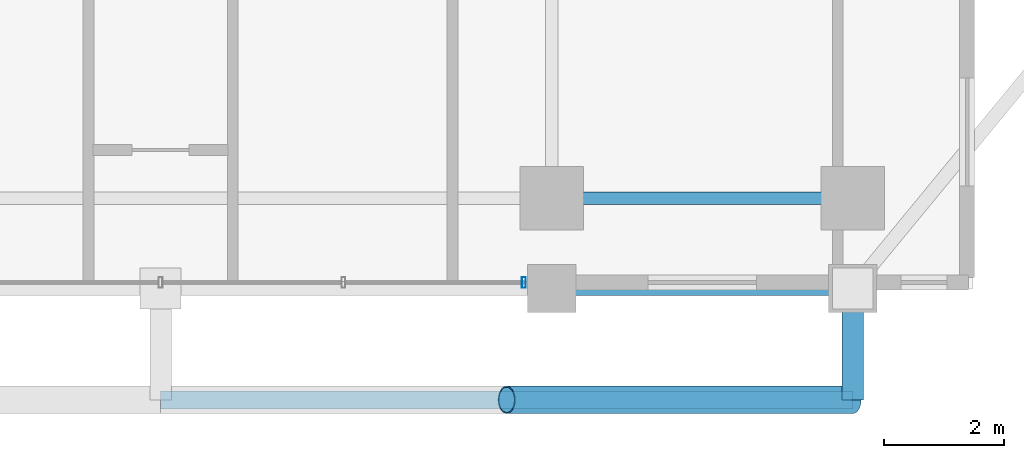
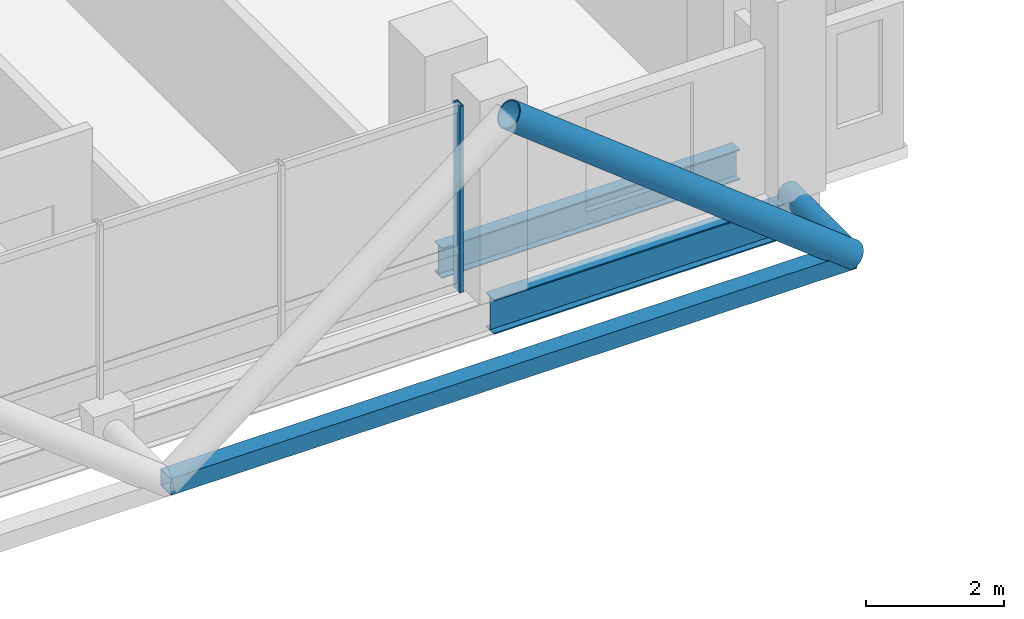
# One storey, part 5 of 25: 4 members, 2 beams, 1 element without a shape of its own.
"""IFC4 building model written with IfcOpenShell, lengths in metres."""

from ifc_helpers import new_model, si_unit, direction, frame, origin, origin_2d, place, context, subcontext, project, spatial, hollow_rectangle, hollow_circle, i_section, extrude, material, layer, layer_set, material_profile, profile_set, type_object, element, aggregate, save


model = new_model("IFC4")

# Units and contexts
model_context = context("Model", 3, precision=1e-05, world=origin(), true_north=direction((0.0, 1.0)))
body_context = subcontext(model_context, "Body", "Model", "MODEL_VIEW")
ifc_project = project(units=[si_unit("LENGTHUNIT", "METRE"), si_unit("AREAUNIT", "SQUARE_METRE"), si_unit("VOLUMEUNIT", "CUBIC_METRE"), si_unit("PLANEANGLEUNIT", "RADIAN"), si_unit("MASSUNIT", "GRAM", prefix="KILO")], contexts=[model_context])

# Site, building, storey
site_placement = place(None, origin())
site = spatial("IfcSite", under=ifc_project, at=site_placement, CompositionType="ELEMENT")
building_placement = place(site_placement, origin())
building = spatial("IfcBuilding", under=site, at=building_placement, Name="Barlavira Tower and Art Museum", CompositionType="ELEMENT")
storey_placement = place(building_placement, frame((0.0, 0.0, 208.800048828125)))
storey = spatial("IfcBuildingStorey", under=building, at=storey_placement, Name="L54", CompositionType="ELEMENT", Elevation=208.800048828125)

# Curtain wall, member
ifc_material_1 = material(Name="Low-iron coastal laminated glass", Category="glass")
ifc_layer = layer(ifc_material_1, 0.199951171875, Name="Low-iron coastal laminated glass")
ifc_layer_set = layer_set([ifc_layer], Name="Low-iron coastal laminated glass")
curtain_wall_type = type_object("IfcCurtainWallType", Name="Pale-Metal Unitised Curtain Wall Zone 3", PredefinedType="NOTDEFINED", material=ifc_layer_set)
curtain_wall_placement = place(storey_placement, origin())
curtain_wall = element("IfcCurtainWall", 1, at=curtain_wall_placement, inside=storey, type_object=curtain_wall_type, Name="L54 Curtain Wall CW3-L54-S-B3", PredefinedType="NOTDEFINED")
ifc_material_2 = material(Name="Pale anodised aluminium", Category="aluminium")
ifc_material_profile_1 = material_profile(ifc_material_2, hollow_rectangle(XDim=0.06494140625, YDim=0.179931640625, WallThickness=0.00390625, at=origin_2d()), Name="ALU-MULL 65x180x4")
ifc_profile_set_1 = profile_set([ifc_material_profile_1], Name="Pale anodised aluminium")
member_type_1 = type_object("IfcMemberType", Name="Curtain Wall Pale-Metal Mullion 65x180", PredefinedType="MULLION", material=ifc_profile_set_1)
member_1_placement = place(storey_placement, frame((6.034912109375, -21.39990234375, 0.0), z_axis=(0.0, 0.0, 1.0), x_axis=(1.0, 0.0, 0.0)))
member_1 = element("IfcMember", 2, at=member_1_placement, type_object=member_type_1, Name="CW3-L54-S-B3 Mullion 4", PredefinedType="MULLION", context=body_context, shape_type="SweptSolid", body=[
    extrude(hollow_rectangle(XDim=0.06494140625, YDim=0.179931640625, WallThickness=0.00390625, at=origin_2d()), origin(), (0.0, 0.0, 1.0), 3.300048828125),
])
aggregate(curtain_wall, [member_1])

# Members
ifc_material_3 = material(Name="Steel S355", Category="steel")
ifc_material_profile_2 = material_profile(ifc_material_3, hollow_circle(Radius=0.228515625, WallThickness=0.02001953125, at=origin_2d()), Name="CHS 457.0x20.0")
ifc_profile_set_2 = profile_set([ifc_material_profile_2], Name="Steel S355")
member_type_2 = type_object("IfcMemberType", Name="Pale-Metal Exoskeleton Diagrid Tube CHS 457x20 Steel S355", PredefinedType="BRACE", material=ifc_profile_set_2)
member_2_placement = place(storey_placement, frame((11.5, -23.35009765625, -0.1201171875), z_axis=(-0.787505001008, 0.0, 0.616308261658), x_axis=(0.0, -1.0, 0.0)))
element("IfcMember", 3, at=member_2_placement, inside=storey, type_object=member_type_2, Name="L54 Exoskeleton Diagrid Tube S", PredefinedType="BRACE", context=body_context, shape_type="SweptSolid", body=[
    extrude(hollow_circle(Radius=0.228515625, WallThickness=0.02001953125, at=origin_2d()), origin(), (0.0, 0.0, 1.0), 7.301513671875),
])
ifc_material_profile_3 = material_profile(ifc_material_3, hollow_circle(Radius=0.177734375, WallThickness=0.01611328125, at=origin_2d()), Name="CHS 355.6x16.0")
ifc_profile_set_3 = profile_set([ifc_material_profile_3], Name="Steel S355")
member_type_3 = type_object("IfcMemberType", Name="Pale-Metal Exoskeleton Tie Strut CHS 356x16 Steel S355", PredefinedType="STRUT", material=ifc_profile_set_3)
member_3_placement = place(storey_placement, frame((11.5, -23.35009765625, -0.1201171875), z_axis=(0.0, 1.0, 0.0), x_axis=(-1.0, 0.0, 0.0)))
element("IfcMember", 4, at=member_3_placement, inside=storey, type_object=member_type_3, Name="L54 Exoskeleton Tie Strut S3", PredefinedType="STRUT", context=body_context, shape_type="SweptSolid", body=[
    extrude(hollow_circle(Radius=0.177734375, WallThickness=0.01611328125, at=origin_2d()), origin(), (0.0, 0.0, 1.0), 1.85009765625),
])
ifc_material_profile_4 = material_profile(ifc_material_3, hollow_rectangle(XDim=0.300048828125, YDim=0.300048828125, WallThickness=0.01611328125, at=origin_2d()), Name="SHS 300x300x16.0")
ifc_profile_set_4 = profile_set([ifc_material_profile_4], Name="Steel S355")
member_type_4 = type_object("IfcMemberType", Name="Pale-Metal Upper Ring Strut SHS 300x300x16 Steel S355", PredefinedType="STRUT", material=ifc_profile_set_4)
member_4_placement = place(storey_placement, frame((0.0, -23.35009765625, -0.1201171875), z_axis=(1.0, 0.0, 0.0), x_axis=(0.0, 1.0, 0.0)))
element("IfcMember", 5, at=member_4_placement, inside=storey, type_object=member_type_4, Name="L54 Exoskeleton Ring Strut S", PredefinedType="STRUT", context=body_context, shape_type="SweptSolid", body=[
    extrude(hollow_rectangle(XDim=0.300048828125, YDim=0.300048828125, WallThickness=0.01611328125, at=origin_2d()), origin(), (0.0, 0.0, 1.0), 11.5),
])

# Beams
ifc_material_profile_5 = material_profile(ifc_material_3, i_section(OverallWidth=0.22998046875, OverallDepth=0.616943359375, WebThickness=0.01318359375, FlangeThickness=0.022216796875, at=origin_2d()), Name="W610x140.0")
ifc_profile_set_5 = profile_set([ifc_material_profile_5], Name="Steel S355")
beam_type_1 = type_object("IfcBeamType", Name="Upper Shaft Spandrel Edge Beam W610x140 Steel S355", PredefinedType="SPANDREL", material=ifc_profile_set_5)
beam_1_placement = place(storey_placement, frame((6.5, -21.5, -0.528564453125), z_axis=(1.0, 0.0, 0.0), x_axis=(0.0, 1.0, 0.0)))
element("IfcBeam", 6, at=beam_1_placement, inside=storey, type_object=beam_type_1, Name="L54 Spandrel 3", PredefinedType="SPANDREL", context=body_context, shape_type="SweptSolid", body=[
    extrude(i_section(OverallWidth=0.22998046875, OverallDepth=0.616943359375, WebThickness=0.01318359375, FlangeThickness=0.022216796875, at=origin_2d()), origin(), (0.0, 0.0, 1.0), 5.0),
])
ifc_material_profile_6 = material_profile(ifc_material_3, i_section(OverallWidth=0.2109375, OverallDepth=0.5390625, WebThickness=0.01171875, FlangeThickness=0.018798828125, at=origin_2d()), Name="W530x109.0")
ifc_profile_set_6 = profile_set([ifc_material_profile_6], Name="Steel S355")
beam_type_2 = type_object("IfcBeamType", Name="Zone 3-4 Primary Floor Girder W530x109 Steel S355", PredefinedType="BEAM", material=ifc_profile_set_6)
beam_2_placement = place(storey_placement, frame((6.5, -20.0, -0.489501953125), z_axis=(1.0, 0.0, 0.0), x_axis=(0.0, 1.0, 0.0)))
element("IfcBeam", 7, at=beam_2_placement, inside=storey, type_object=beam_type_2, Name="L54 Girder M-S3", PredefinedType="BEAM", context=body_context, shape_type="SweptSolid", body=[
    extrude(i_section(OverallWidth=0.2109375, OverallDepth=0.5390625, WebThickness=0.01171875, FlangeThickness=0.018798828125, at=origin_2d()), origin(), (0.0, 0.0, 1.0), 5.0),
])

save(model, "model.ifc")
